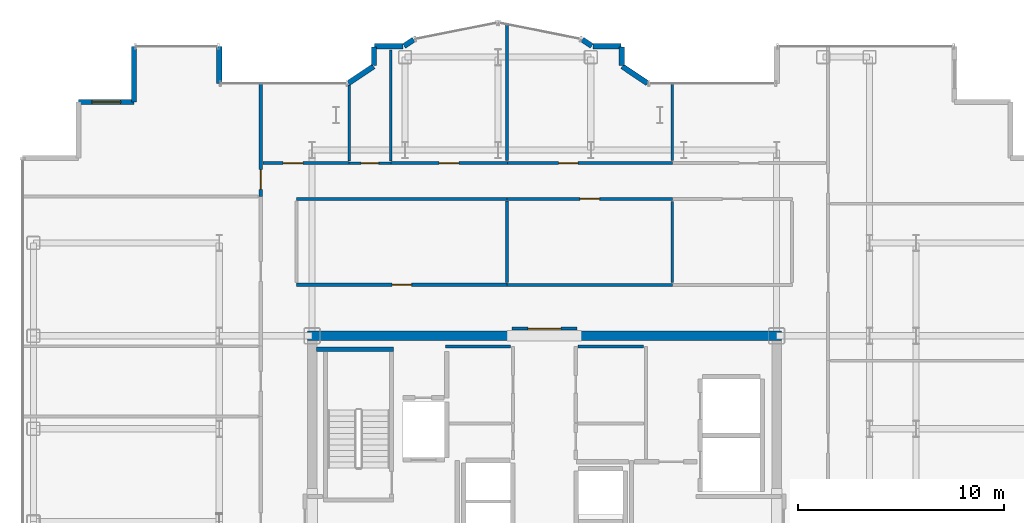
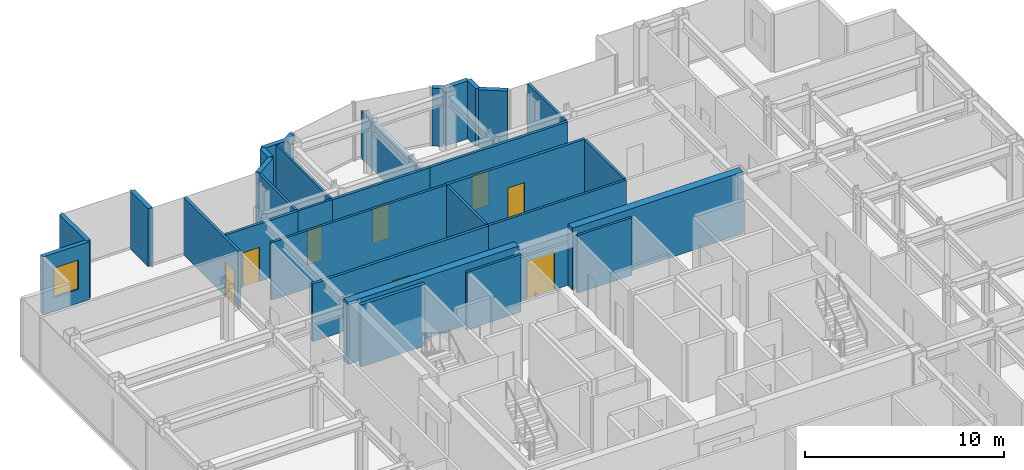
# One storey, part 18 of 20: 32 walls, 8 doors, 1 window, 9 openings.
"""IFC4 building model written with IfcOpenShell, lengths in metres."""

from ifc_helpers import new_model, si_unit, direction, frame, frame_2d, origin, place, context, subcontext, project, spatial, rectangle, extrude, source, transform, mapped, material, layer, layer_set, type_object, element, fill, save


model = new_model("IFC4")

# Units and contexts
model_context = context("Model", 3, precision=1e-05, world=origin(), true_north=direction((0.0, 1.0)))
body_context = subcontext(model_context, "Body", "Model", "MODEL_VIEW")
ifc_project = project(units=[si_unit("LENGTHUNIT", "METRE"), si_unit("AREAUNIT", "SQUARE_METRE"), si_unit("VOLUMEUNIT", "CUBIC_METRE"), si_unit("PLANEANGLEUNIT", "RADIAN"), si_unit("MASSUNIT", "GRAM", prefix="KILO")], contexts=[model_context])

# Site, building, storey
site_placement = place(None, origin())
site = spatial("IfcSite", under=ifc_project, at=site_placement, CompositionType="ELEMENT")
building_placement = place(site_placement, origin())
building = spatial("IfcBuilding", under=site, at=building_placement, Name="Nefas-Gora Pilgrimage Tower", CompositionType="ELEMENT")
storey_placement = place(building_placement, frame((0.0, 0.0, 237.0)))
storey = spatial("IfcBuildingStorey", under=building, at=storey_placement, Name="L59", CompositionType="ELEMENT", Elevation=237.0)

# Walls
ifc_material_1 = material(Name="Concrete C50/60", Category="concrete")
ifc_layer_1 = layer(ifc_material_1, 0.449951171875)
ifc_layer_set_1 = layer_set([ifc_layer_1], Name="Concrete C50/60")
wall_type_1 = type_object("IfcWallType", Name="SW-CORE-450", PredefinedType="SHEAR", material=ifc_layer_set_1)
shared_shape_1 = source(origin(), body_context, "Body", "SweptSolid", [
    extrude(rectangle(XDim=9.925048828125, YDim=0.449951171875, at=frame_2d((4.96240234375, 0.0))), origin(), (0.0, 0.0, 1.0), 3.800048828125),
])
for number, where, z_axis, x_axis, name in (
    (1, (-11.47509765625, 9.0, 0.0), (0.0, 0.0, 1.0), (1.0, 0.0, 0.0), "L59 Core Shear Wall N-West"),
    (2, (1.550048828125, 9.0, 0.0), (0.0, 0.0, 1.0), (1.0, 0.0, 0.0), "L59 Core Shear Wall N-East"),
):
    element("IfcWall", number, at=place(storey_placement, frame(where, z_axis=z_axis, x_axis=x_axis)), inside=storey, type_object=wall_type_1, Name=name, PredefinedType="SHEAR", context=body_context, shape_type="MappedRepresentation", body=[
        mapped(shared_shape_1, transform((0.0, 0.0, 0.0), x_axis=(1.0, 0.0, 0.0), y_axis=(0.0, 1.0, 0.0), z_axis=(0.0, 0.0, 1.0), scale=1.0)),
    ])
ifc_material_2 = material(Name="Precast concrete C40/50", Category="concrete")
ifc_layer_2 = layer(ifc_material_2, 0.260009765625)
ifc_layer_set_2 = layer_set([ifc_layer_2], Name="Precast concrete C40/50")
wall_type_2 = type_object("IfcWallType", Name="EW-PORTAL-260", PredefinedType="SOLIDWALL", material=ifc_layer_set_2)
shared_shape_2 = source(origin(), body_context, "Body", "SweptSolid", [
    extrude(rectangle(XDim=1.800048828125, YDim=0.260009765625, at=frame_2d((0.89990234375, 0.0))), origin(), (0.0, 0.0, 1.0), 3.550048828125),
])
wall_1_placement = place(storey_placement, frame((-15.75, 21.219970703125, 0.0), z_axis=(0.0, 0.0, 1.0), x_axis=(0.0, 1.0, 0.0)))
element("IfcWall", 3, at=wall_1_placement, inside=storey, type_object=wall_type_2, Name="L59 Lobe Shoulder Precast Spandrel Pier 19", PredefinedType="SOLIDWALL", context=body_context, shape_type="MappedRepresentation", body=[
    mapped(shared_shape_2, transform((0.0, 0.0, 0.0), x_axis=(1.0, 0.0, 0.0), y_axis=(0.0, 1.0, 0.0), z_axis=(0.0, 0.0, 1.0), scale=1.0)),
])
ifc_material_3 = material(Name="Precast concrete C45/55", Category="concrete")
ifc_layer_3 = layer(ifc_material_3, 0.239990234375)
ifc_layer_set_3 = layer_set([ifc_layer_3], Name="Precast concrete C45/55")
wall_type_3 = type_object("IfcWallType", Name="EW-SERR-240", PredefinedType="SHEAR", material=ifc_layer_set_3)
shared_shape_3 = source(origin(), body_context, "Body", "SweptSolid", [
    extrude(rectangle(XDim=2.699951171875, YDim=0.239990234375, at=frame_2d((1.35009765625, 0.0))), origin(), (0.0, 0.0, 1.0), 3.550048828125),
])
wall_2_placement = place(storey_placement, frame((-19.8701171875, 23.02001953125, 0.0), z_axis=(0.0, 0.0, 1.0), x_axis=(0.0, -1.0, 0.0)))
element("IfcWall", 4, at=wall_2_placement, inside=storey, type_object=wall_type_3, Name="L59 Serrated Corner Shear Pier Wall 20", PredefinedType="SHEAR", context=body_context, shape_type="MappedRepresentation", body=[
    mapped(shared_shape_3, transform((0.0, 0.0, 0.0), x_axis=(1.0, 0.0, 0.0), y_axis=(0.0, 1.0, 0.0), z_axis=(0.0, 0.0, 1.0), scale=1.0)),
])

# Wall, opening, window
wall_3_placement = place(storey_placement, frame((-19.8701171875, 20.320068359375, 0.0), z_axis=(0.0, 0.0, 1.0), x_axis=(-1.0, 0.0, 0.0)))
wall_3 = element("IfcWall", 5, at=wall_3_placement, inside=storey, type_object=wall_type_3, Name="L59 Serrated Corner Shear Pier Wall 21", PredefinedType="SHEAR", context=body_context, shape_type="MappedRepresentation", body=[
    mapped(shared_shape_3, transform((0.0, 0.0, 0.0), x_axis=(1.0, 0.0, 0.0), y_axis=(0.0, 1.0, 0.0), z_axis=(0.0, 0.0, 1.0), scale=1.0)),
])
opening_1_placement = place(wall_3_placement, frame((0.64990234375, 0.0, 0.85009765625)))
opening_1 = element("IfcOpeningElement", 6, at=opening_1_placement, cuts=wall_3, Name="Opening W-V2", PredefinedType="OPENING", context=body_context, shape_type="SweptSolid", body=[
    extrude(rectangle(XDim=1.39990234375, YDim=1.800048828125, at=frame_2d((0.699951171875, 0.89990234375))), frame((0.0, 0.1298828125, 0.0), z_axis=(0.0, -1.0, 0.0), x_axis=(1.0, 0.0, 0.0)), (0.0, 0.0, 1.0), 0.260009765625),
])
ifc_material_4 = material(Name="Dark ceramic-fritted operable aluminium-glass window", Category="aluminium")
window_type = type_object("IfcWindowType", Name="WIN-VENT-1400x1800", PartitioningType="SINGLE_PANEL", PredefinedType="WINDOW", material=ifc_material_4)
shared_shape_4 = source(origin(), body_context, "Body", "SweptSolid", [
    extrude(rectangle(XDim=1.39990234375, YDim=1.800048828125, at=frame_2d((0.699951171875, 0.89990234375))), frame((0.0, 0.030029296875, 0.0), z_axis=(0.0, -1.0, 0.0), x_axis=(1.0, 0.0, 0.0)), (0.0, 0.0, 1.0), 0.06005859375),
])
window_placement = place(opening_1_placement, origin())
window = element("IfcWindow", 7, at=window_placement, inside=storey, type_object=window_type, Name="L59 Operable Parallel-Outswing Window 21", OverallHeight=1.800048828125, OverallWidth=1.39990234375, PartitioningType="SINGLE_PANEL", PredefinedType="WINDOW", context=body_context, shape_type="MappedRepresentation", body=[
    mapped(shared_shape_4, transform((0.0, 0.0, 0.0), x_axis=(1.0, 0.0, 0.0), y_axis=(0.0, 1.0, 0.0), z_axis=(0.0, 0.0, 1.0), scale=1.0)),
])
fill(opening_1, window)

# Walls
shared_shape_5 = source(origin(), body_context, "Body", "SweptSolid", [
    extrude(rectangle(XDim=1.468994140625, YDim=0.260009765625, at=frame_2d((0.734375, 0.0))), origin(), (0.0, 0.0, 1.0), 3.550048828125),
])
for number, where, z_axis, x_axis, name in (
    (8, (4.99462890625, 21.235595703125, 0.0), (0.0, 0.0, 1.0), (-0.831461760506, 0.555581983884, 0.0), "L59 Lobe Shoulder Precast Spandrel Pier 11"),
    (9, (-8.273193359375, 22.0517578125, 0.0), (0.0, 0.0, 1.0), (-0.831461760506, -0.555581983884, 0.0), "L59 Lobe Shoulder Precast Spandrel Pier 18"),
):
    element("IfcWall", number, at=place(storey_placement, frame(where, z_axis=z_axis, x_axis=x_axis)), inside=storey, type_object=wall_type_2, Name=name, PredefinedType="SOLIDWALL", context=body_context, shape_type="MappedRepresentation", body=[
        mapped(shared_shape_5, transform((0.0, 0.0, 0.0), x_axis=(1.0, 0.0, 0.0), y_axis=(0.0, 1.0, 0.0), z_axis=(0.0, 0.0, 1.0), scale=1.0)),
    ])
shared_shape_6 = source(origin(), body_context, "Body", "SweptSolid", [
    extrude(rectangle(XDim=0.896728515625, YDim=0.260009765625, at=frame_2d((0.4482421875, 0.0))), origin(), (0.0, 0.0, 1.0), 3.550048828125),
])
for number, where, z_axis, x_axis, name in (
    (10, (3.75, 22.09521484375, 0.0), (0.0, 0.0, 1.0), (0.0, 1.0, 0.0), "L59 Lobe Shoulder Precast Spandrel Pier 12"),
    (11, (-8.25, 22.991943359375, 0.0), (0.0, 0.0, 1.0), (0.0, -1.0, 0.0), "L59 Lobe Shoulder Precast Spandrel Pier 17"),
):
    element("IfcWall", number, at=place(storey_placement, frame(where, z_axis=z_axis, x_axis=x_axis)), inside=storey, type_object=wall_type_2, Name=name, PredefinedType="SOLIDWALL", context=body_context, shape_type="MappedRepresentation", body=[
        mapped(shared_shape_6, transform((0.0, 0.0, 0.0), x_axis=(1.0, 0.0, 0.0), y_axis=(0.0, 1.0, 0.0), z_axis=(0.0, 0.0, 1.0), scale=1.0)),
    ])
shared_shape_7 = source(origin(), body_context, "Body", "SweptSolid", [
    extrude(rectangle(XDim=1.369873046875, YDim=0.260009765625, at=frame_2d((0.68505859375, 0.0))), origin(), (0.0, 0.0, 1.0), 3.550048828125),
])
for number, where, z_axis, x_axis, name in (
    (12, (3.721923828125, 23.02001953125, 0.0), (0.0, 0.0, 1.0), (-1.0, 0.0, 0.0), "L59 Lobe Shoulder Precast Spandrel Pier 13"),
    (13, (-6.85205078125, 23.02001953125, 0.0), (0.0, 0.0, 1.0), (-1.0, 0.0, 0.0), "L59 Lobe Shoulder Precast Spandrel Pier 16"),
):
    element("IfcWall", number, at=place(storey_placement, frame(where, z_axis=z_axis, x_axis=x_axis)), inside=storey, type_object=wall_type_2, Name=name, PredefinedType="SOLIDWALL", context=body_context, shape_type="MappedRepresentation", body=[
        mapped(shared_shape_7, transform((0.0, 0.0, 0.0), x_axis=(1.0, 0.0, 0.0), y_axis=(0.0, 1.0, 0.0), z_axis=(0.0, 0.0, 1.0), scale=1.0)),
    ])
shared_shape_8 = source(origin(), body_context, "Body", "SweptSolid", [
    extrude(rectangle(XDim=0.5654296875, YDim=0.260009765625, at=frame_2d((0.28271484375, 0.0))), origin(), (0.0, 0.0, 1.0), 3.550048828125),
])
for number, where, z_axis, x_axis, name in (
    (14, (2.30078125, 23.03564453125, 0.0), (0.0, 0.0, 1.0), (-0.831651492666, 0.555297933317, 0.0), "L59 Lobe Shoulder Precast Spandrel Pier 14"),
    (15, (-6.33056640625, 23.349609375, 0.0), (0.0, 0.0, 1.0), (-0.831651492666, -0.555297933317, 0.0), "L59 Lobe Shoulder Precast Spandrel Pier 15"),
):
    element("IfcWall", number, at=place(storey_placement, frame(where, z_axis=z_axis, x_axis=x_axis)), inside=storey, type_object=wall_type_2, Name=name, PredefinedType="SOLIDWALL", context=body_context, shape_type="MappedRepresentation", body=[
        mapped(shared_shape_8, transform((0.0, 0.0, 0.0), x_axis=(1.0, 0.0, 0.0), y_axis=(0.0, 1.0, 0.0), z_axis=(0.0, 0.0, 1.0), scale=1.0)),
    ])
ifc_material_5 = material(Name="Concrete C45/55", Category="concrete")
ifc_layer_4 = layer(ifc_material_5, 0.199951171875)
ifc_layer_set_4 = layer_set([ifc_layer_4], Name="Concrete C45/55")
wall_type_4 = type_object("IfcWallType", Name="IW-STAIR-200", PredefinedType="SOLIDWALL", material=ifc_layer_set_4)
shared_shape_9 = source(origin(), body_context, "Body", "SweptSolid", [
    extrude(rectangle(XDim=3.72998046875, YDim=0.199951171875, at=frame_2d((1.864990234375, 0.0))), origin(), (0.0, 0.0, 1.0), 3.800048828125),
])
wall_4_placement = place(storey_placement, frame((-7.300048828125, 8.35009765625, 0.0), z_axis=(0.0, 0.0, 1.0), x_axis=(-1.0, 0.0, 0.0)))
element("IfcWall", 16, at=wall_4_placement, inside=storey, type_object=wall_type_4, Name="L59 Stairwell Shear Wall ST-01-far", PredefinedType="SOLIDWALL", context=body_context, shape_type="MappedRepresentation", body=[
    mapped(shared_shape_9, transform((0.0, 0.0, 0.0), x_axis=(1.0, 0.0, 0.0), y_axis=(0.0, 1.0, 0.0), z_axis=(0.0, 0.0, 1.0), scale=1.0)),
])

# Wall, opening, door
ifc_material_6 = material(Name="Moisture-resistant fire-rated gypsum partition")
ifc_layer_5 = layer(ifc_material_6, 0.1201171875)
ifc_layer_set_5 = layer_set([ifc_layer_5], Name="Moisture-resistant fire-rated gypsum partition")
wall_type_5 = type_object("IfcWallType", Name="IW-WET-120", PredefinedType="PLUMBINGWALL", material=ifc_layer_set_5)
shared_shape_10 = source(origin(), body_context, "Body", "SweptSolid", [
    extrude(rectangle(XDim=2.02001953125, YDim=0.1201171875, at=frame_2d((1.010009765625, 0.0))), origin(), (0.0, 0.0, 1.0), 3.534912109375),
])
wall_5_placement = place(storey_placement, frame((-9.4599609375, 17.3701171875, 0.0), z_axis=(0.0, 0.0, 1.0), x_axis=(1.0, 0.0, 0.0)))
wall_5 = element("IfcWall", 17, at=wall_5_placement, inside=storey, type_object=wall_type_5, Name="L59 Accessible Unisex WC Partition Wall 29", PredefinedType="PLUMBINGWALL", context=body_context, shape_type="MappedRepresentation", body=[
    mapped(shared_shape_10, transform((0.0, 0.0, 0.0), x_axis=(1.0, 0.0, 0.0), y_axis=(0.0, 1.0, 0.0), z_axis=(0.0, 0.0, 1.0), scale=1.0)),
])
opening_2_placement = place(wall_5_placement, frame((0.5849609375, 0.0, 0.0)))
opening_2 = element("IfcOpeningElement", 18, at=opening_2_placement, cuts=wall_5, Name="Opening ID-BT1", PredefinedType="OPENING", context=body_context, shape_type="SweptSolid", body=[
    extrude(rectangle(XDim=0.85009765625, YDim=2.10009765625, at=frame_2d((0.425048828125, 1.050048828125))), frame((0.0, 0.070068359375, 0.0), z_axis=(0.0, -1.0, 0.0), x_axis=(1.0, 0.0, 0.0)), (0.0, 0.0, 1.0), 0.14013671875),
])
ifc_material_7 = material(Name="Moisture-resistant fire-rated timber door", Category="wood")
door_type_1 = type_object("IfcDoorType", Name="DR-INT-BATH-850", OperationType="NOTDEFINED", PredefinedType="DOOR", material=ifc_material_7)
shared_shape_11 = source(origin(), body_context, "Body", "SweptSolid", [
    extrude(rectangle(XDim=0.85009765625, YDim=2.10009765625, at=frame_2d((0.425048828125, 1.050048828125))), frame((0.0, 0.02490234375, 0.0), z_axis=(0.0, -1.0, 0.0), x_axis=(1.0, 0.0, 0.0)), (0.0, 0.0, 1.0), 0.050048828125),
])
door_1_placement = place(opening_2_placement, origin())
door_1 = element("IfcDoor", 19, at=door_1_placement, inside=storey, type_object=door_type_1, Name="L59 Accessible Unisex WC Door 12", OperationType="SINGLE_SWING_RIGHT", OverallHeight=2.10009765625, OverallWidth=0.85009765625, PredefinedType="DOOR", context=body_context, shape_type="MappedRepresentation", body=[
    mapped(shared_shape_11, transform((0.0, 0.0, 0.0), x_axis=(1.0, 0.0, 0.0), y_axis=(0.0, 1.0, 0.0), z_axis=(0.0, 0.0, 1.0), scale=1.0)),
])
fill(opening_2, door_1)

# Walls
ifc_material_8 = material(Name="Gypsum twin-stud partition")
ifc_layer_6 = layer(ifc_material_8, 0.139892578125)
ifc_layer_set_6 = layer_set([ifc_layer_6], Name="Gypsum twin-stud partition")
wall_type_6 = type_object("IfcWallType", Name="IW-UNIT-140", PredefinedType="PARTITIONING", material=ifc_layer_set_6)
shared_shape_12 = source(origin(), body_context, "Body", "SweptSolid", [
    extrude(rectangle(XDim=3.150146484375, YDim=0.139892578125, at=frame_2d((1.5751953125, 0.0))), origin(), (0.0, 0.0, 1.0), 3.534912109375),
])
for number, where, z_axis, x_axis, name in (
    (20, (-4.7900390625, 8.47998046875, 0.0), (0.0, 0.0, 1.0), (1.0, 0.0, 0.0), "L59 Archival Supply Store Partition Wall 21"),
    (21, (1.639892578125, 8.47998046875, 0.0), (0.0, 0.0, 1.0), (1.0, 0.0, 0.0), "L59 Amenity Supply Store Partition Wall 25"),
):
    element("IfcWall", number, at=place(storey_placement, frame(where, z_axis=z_axis, x_axis=x_axis)), inside=storey, type_object=wall_type_6, Name=name, PredefinedType="PARTITIONING", context=body_context, shape_type="MappedRepresentation", body=[
        mapped(shared_shape_12, transform((0.0, 0.0, 0.0), x_axis=(1.0, 0.0, 0.0), y_axis=(0.0, 1.0, 0.0), z_axis=(0.0, 0.0, 1.0), scale=1.0)),
    ])
shared_shape_13 = source(origin(), body_context, "Body", "SweptSolid", [
    extrude(rectangle(XDim=5.380126953125, YDim=0.1201171875, at=frame_2d((2.68994140625, 0.0))), origin(), (0.0, 0.0, 1.0), 3.534912109375),
])
wall_6_placement = place(storey_placement, frame((-7.449951171875, 17.469970703125, 0.0), z_axis=(0.0, 0.0, 1.0), x_axis=(0.0, 1.0, 0.0)))
element("IfcWall", 22, at=wall_6_placement, inside=storey, type_object=wall_type_5, Name="L59 Accessible Unisex WC Partition Wall 30", PredefinedType="PLUMBINGWALL", context=body_context, shape_type="MappedRepresentation", body=[
    mapped(shared_shape_13, transform((0.0, 0.0, 0.0), x_axis=(1.0, 0.0, 0.0), y_axis=(0.0, 1.0, 0.0), z_axis=(0.0, 0.0, 1.0), scale=1.0)),
])
shared_shape_14 = source(origin(), body_context, "Body", "SweptSolid", [
    extrude(rectangle(XDim=3.686767578125, YDim=0.1201171875, at=frame_2d((1.84326171875, 0.0))), origin(), (0.0, 0.0, 1.0), 3.534912109375),
])
wall_7_placement = place(storey_placement, frame((-9.449951171875, 17.469970703125, 0.0), z_axis=(0.0, 0.0, 1.0), x_axis=(0.0, 1.0, 0.0)))
element("IfcWall", 23, at=wall_7_placement, inside=storey, type_object=wall_type_5, Name="L59 Accessible Unisex WC Partition Wall 31", PredefinedType="PLUMBINGWALL", context=body_context, shape_type="MappedRepresentation", body=[
    mapped(shared_shape_14, transform((0.0, 0.0, 0.0), x_axis=(1.0, 0.0, 0.0), y_axis=(0.0, 1.0, 0.0), z_axis=(0.0, 0.0, 1.0), scale=1.0)),
])
shared_shape_15 = source(origin(), body_context, "Body", "SweptSolid", [
    extrude(rectangle(XDim=3.929931640625, YDim=0.139892578125, at=frame_2d((1.96484375, 0.0))), origin(), (0.0, 0.0, 1.0), 3.534912109375),
])
for number, where, z_axis, x_axis, name in (
    (24, (-1.804931640625, 11.590087890625, 0.0), (0.0, 0.0, 1.0), (0.0, 1.0, 0.0), "L59 Pilgrim Contemplative Lounge Partition Wall 59"),
    (25, (6.195068359375, 11.580078125, 0.0), (0.0, 0.0, 1.0), (0.0, 1.0, 0.0), "L59 Pilgrim Contemplative Lounge Partition Wall 67"),
):
    element("IfcWall", number, at=place(storey_placement, frame(where, z_axis=z_axis, x_axis=x_axis)), inside=storey, type_object=wall_type_6, Name=name, PredefinedType="PARTITIONING", context=body_context, shape_type="MappedRepresentation", body=[
        mapped(shared_shape_15, transform((0.0, 0.0, 0.0), x_axis=(1.0, 0.0, 0.0), y_axis=(0.0, 1.0, 0.0), z_axis=(0.0, 0.0, 1.0), scale=1.0)),
    ])

# Wall, opening, door
ifc_material_9 = material(Name="Gypsum acoustic stud partition")
ifc_layer_7 = layer(ifc_material_9, 0.159912109375)
ifc_layer_set_7 = layer_set([ifc_layer_7], Name="Gypsum acoustic stud partition")
wall_type_7 = type_object("IfcWallType", Name="IW-CORR-160", PredefinedType="PARTITIONING", material=ifc_layer_set_7)
shared_shape_16 = source(origin(), body_context, "Body", "SweptSolid", [
    extrude(rectangle(XDim=4.16015625, YDim=0.159912109375, at=frame_2d((2.080078125, 0.0))), origin(), (0.0, 0.0, 1.0), 3.534912109375),
])
wall_8_placement = place(storey_placement, frame((-13.6201171875, 17.3701171875, 0.0), z_axis=(0.0, 0.0, 1.0), x_axis=(1.0, 0.0, 0.0)))
wall_8 = element("IfcWall", 26, at=wall_8_placement, inside=storey, type_object=wall_type_7, Name="L59 Pilgrim Contemplative Lounge Partition Wall 62", PredefinedType="PARTITIONING", context=body_context, shape_type="MappedRepresentation", body=[
    mapped(shared_shape_16, transform((0.0, 0.0, 0.0), x_axis=(1.0, 0.0, 0.0), y_axis=(0.0, 1.0, 0.0), z_axis=(0.0, 0.0, 1.0), scale=1.0)),
])
opening_3_placement = place(wall_8_placement, frame((0.968994140625, 0.0, 0.0)))
opening_3 = element("IfcOpeningElement", 27, at=opening_3_placement, cuts=wall_8, Name="Opening ID-GR1", PredefinedType="OPENING", context=body_context, shape_type="SweptSolid", body=[
    extrude(rectangle(XDim=0.949951171875, YDim=2.10009765625, at=frame_2d((0.47509765625, 1.050048828125))), frame((0.0, 0.08984375, 0.0), z_axis=(0.0, -1.0, 0.0), x_axis=(1.0, 0.0, 0.0)), (0.0, 0.0, 1.0), 0.179931640625),
])
ifc_material_10 = material(Name="Solid core oak fire-rated guest entrance door")
door_type_2 = type_object("IfcDoorType", Name="DR-INT-GUEST-950", OperationType="NOTDEFINED", PredefinedType="DOOR", material=ifc_material_10)
shared_shape_17 = source(origin(), body_context, "Body", "SweptSolid", [
    extrude(rectangle(XDim=0.949951171875, YDim=2.10009765625, at=frame_2d((0.47509765625, 1.050048828125))), frame((0.0, 0.02490234375, 0.0), z_axis=(0.0, -1.0, 0.0), x_axis=(1.0, 0.0, 0.0)), (0.0, 0.0, 1.0), 0.050048828125),
])
door_2_placement = place(opening_3_placement, origin())
door_2 = element("IfcDoor", 28, at=door_2_placement, inside=storey, type_object=door_type_2, Name="L59 Pilgrim Contemplative Lounge Door 28", OperationType="SINGLE_SWING_RIGHT", OverallHeight=2.10009765625, OverallWidth=0.949951171875, PredefinedType="DOOR", context=body_context, shape_type="MappedRepresentation", body=[
    mapped(shared_shape_17, transform((0.0, 0.0, 0.0), x_axis=(1.0, 0.0, 0.0), y_axis=(0.0, 1.0, 0.0), z_axis=(0.0, 0.0, 1.0), scale=1.0)),
])
fill(opening_3, door_2)

# Wall
shared_shape_18 = source(origin(), body_context, "Body", "SweptSolid", [
    extrude(rectangle(XDim=3.75, YDim=0.139892578125, at=frame_2d((1.875, 0.0))), origin(), (0.0, 0.0, 1.0), 3.534912109375),
])
wall_9_placement = place(storey_placement, frame((6.195068359375, 17.489990234375, 0.0), z_axis=(0.0, 0.0, 1.0), x_axis=(0.0, 1.0, 0.0)))
element("IfcWall", 29, at=wall_9_placement, inside=storey, type_object=wall_type_6, Name="L59 Pilgrim Contemplative Lounge Partition Wall 64", PredefinedType="PARTITIONING", context=body_context, shape_type="MappedRepresentation", body=[
    mapped(shared_shape_18, transform((0.0, 0.0, 0.0), x_axis=(1.0, 0.0, 0.0), y_axis=(0.0, 1.0, 0.0), z_axis=(0.0, 0.0, 1.0), scale=1.0)),
])

# Wall, opening, door
shared_shape_19 = source(origin(), body_context, "Body", "SweptSolid", [
    extrude(rectangle(XDim=3.16015625, YDim=0.159912109375, at=frame_2d((1.580078125, 0.0))), origin(), (0.0, 0.0, 1.0), 2.625),
])
wall_10_placement = place(storey_placement, frame((-1.580078125, 9.35009765625, 0.0), z_axis=(0.0, 0.0, 1.0), x_axis=(1.0, 0.0, 0.0)))
wall_10 = element("IfcWall", 30, at=wall_10_placement, inside=storey, type_object=wall_type_7, Name="L59 Central Lift Lobby North Portal Wall 15", PredefinedType="PARTITIONING", context=body_context, shape_type="MappedRepresentation", body=[
    mapped(shared_shape_19, transform((0.0, 0.0, 0.0), x_axis=(1.0, 0.0, 0.0), y_axis=(0.0, 1.0, 0.0), z_axis=(0.0, 0.0, 1.0), scale=1.0)),
])
opening_4_placement = place(wall_10_placement, frame((0.780029296875, 0.0, 0.0)))
opening_4 = element("IfcOpeningElement", 31, at=opening_4_placement, cuts=wall_10, Name="Opening ID-HL1", PredefinedType="OPENING", context=body_context, shape_type="SweptSolid", body=[
    extrude(rectangle(XDim=1.60009765625, YDim=2.300048828125, at=frame_2d((0.800048828125, 1.14990234375))), frame((0.0, 0.08984375, 0.0), z_axis=(0.0, -1.0, 0.0), x_axis=(1.0, 0.0, 0.0)), (0.0, 0.0, 1.0), 0.179931640625),
])
ifc_material_11 = material(Name="Double acoustic timber assembly hall door", Category="wood")
door_type_3 = type_object("IfcDoorType", Name="DR-INT-HALL-1600", OperationType="DOUBLE_DOOR_SINGLE_SWING", PredefinedType="DOOR", material=ifc_material_11)
shared_shape_20 = source(origin(), body_context, "Body", "SweptSolid", [
    extrude(rectangle(XDim=1.60009765625, YDim=2.300048828125, at=frame_2d((0.800048828125, 1.14990234375))), frame((0.0, 0.02490234375, 0.0), z_axis=(0.0, -1.0, 0.0), x_axis=(1.0, 0.0, 0.0)), (0.0, 0.0, 1.0), 0.050048828125),
])
door_3_placement = place(opening_4_placement, origin())
door_3 = element("IfcDoor", 32, at=door_3_placement, inside=storey, type_object=door_type_3, Name="L59 Central Lift Lobby North Portal Door 5", OperationType="DOUBLE_DOOR_SINGLE_SWING", OverallHeight=2.300048828125, OverallWidth=1.60009765625, PredefinedType="DOOR", context=body_context, shape_type="MappedRepresentation", body=[
    mapped(shared_shape_20, transform((0.0, 0.0, 0.0), x_axis=(1.0, 0.0, 0.0), y_axis=(0.0, 1.0, 0.0), z_axis=(0.0, 0.0, 1.0), scale=1.0)),
])
fill(opening_4, door_3)

shared_shape_21 = source(origin(), body_context, "Body", "SweptSolid", [
    extrude(rectangle(XDim=10.215087890625, YDim=0.159912109375, at=frame_2d((5.107421875, 0.0))), origin(), (0.0, 0.0, 1.0), 3.534912109375),
])
wall_11_placement = place(storey_placement, frame((-12.010009765625, 11.469970703125, 0.0), z_axis=(0.0, 0.0, 1.0), x_axis=(1.0, 0.0, 0.0)))
wall_11 = element("IfcWall", 33, at=wall_11_placement, inside=storey, type_object=wall_type_7, Name="L59 Pilgrim Contemplative Lounge Partition Wall 56", PredefinedType="PARTITIONING", context=body_context, shape_type="MappedRepresentation", body=[
    mapped(shared_shape_21, transform((0.0, 0.0, 0.0), x_axis=(1.0, 0.0, 0.0), y_axis=(0.0, 1.0, 0.0), z_axis=(0.0, 0.0, 1.0), scale=1.0)),
])
opening_5_placement = place(wall_11_placement, frame((4.632568359375, 0.0, 0.0)))
opening_5 = element("IfcOpeningElement", 34, at=opening_5_placement, cuts=wall_11, Name="Opening ID-GR1", PredefinedType="OPENING", context=body_context, shape_type="SweptSolid", body=[
    extrude(rectangle(XDim=0.949951171875, YDim=2.10009765625, at=frame_2d((0.47509765625, 1.050048828125))), frame((0.0, 0.08984375, 0.0), z_axis=(0.0, -1.0, 0.0), x_axis=(1.0, 0.0, 0.0)), (0.0, 0.0, 1.0), 0.179931640625),
])
door_4_placement = place(opening_5_placement, origin())
door_4 = element("IfcDoor", 35, at=door_4_placement, inside=storey, type_object=door_type_2, Name="L59 Pilgrim Contemplative Lounge Door 26", OperationType="SINGLE_SWING_RIGHT", OverallHeight=2.10009765625, OverallWidth=0.949951171875, PredefinedType="DOOR", context=body_context, shape_type="MappedRepresentation", body=[
    mapped(shared_shape_17, transform((0.0, 0.0, 0.0), x_axis=(1.0, 0.0, 0.0), y_axis=(0.0, 1.0, 0.0), z_axis=(0.0, 0.0, 1.0), scale=1.0)),
])
fill(opening_5, door_4)

# Wall
shared_shape_22 = source(origin(), body_context, "Body", "SweptSolid", [
    extrude(rectangle(XDim=10.215087890625, YDim=0.139892578125, at=frame_2d((5.107421875, 0.0))), origin(), (0.0, 0.0, 1.0), 3.534912109375),
])
wall_12_placement = place(storey_placement, frame((-12.010009765625, 15.6298828125, 0.0), z_axis=(0.0, 0.0, 1.0), x_axis=(1.0, 0.0, 0.0)))
element("IfcWall", 36, at=wall_12_placement, inside=storey, type_object=wall_type_6, Name="L59 Pilgrim Contemplative Lounge Partition Wall 57", PredefinedType="PARTITIONING", context=body_context, shape_type="MappedRepresentation", body=[
    mapped(shared_shape_22, transform((0.0, 0.0, 0.0), x_axis=(1.0, 0.0, 0.0), y_axis=(0.0, 1.0, 0.0), z_axis=(0.0, 0.0, 1.0), scale=1.0)),
])

# Wall, opening, door
shared_shape_23 = source(origin(), body_context, "Body", "SweptSolid", [
    extrude(rectangle(XDim=5.64501953125, YDim=0.159912109375, at=frame_2d((2.822509765625, 0.0))), origin(), (0.0, 0.0, 1.0), 3.534912109375),
])
wall_13_placement = place(storey_placement, frame((-7.43994140625, 17.3701171875, 0.0), z_axis=(0.0, 0.0, 1.0), x_axis=(1.0, 0.0, 0.0)))
wall_13 = element("IfcWall", 37, at=wall_13_placement, inside=storey, type_object=wall_type_7, Name="L59 Pilgrim Contemplative Lounge Partition Wall 60", PredefinedType="PARTITIONING", context=body_context, shape_type="MappedRepresentation", body=[
    mapped(shared_shape_23, transform((0.0, 0.0, 0.0), x_axis=(1.0, 0.0, 0.0), y_axis=(0.0, 1.0, 0.0), z_axis=(0.0, 0.0, 1.0), scale=1.0)),
])
opening_6_placement = place(wall_13_placement, frame((2.347412109375, 0.0, 0.0)))
opening_6 = element("IfcOpeningElement", 38, at=opening_6_placement, cuts=wall_13, Name="Opening ID-GR1", PredefinedType="OPENING", context=body_context, shape_type="SweptSolid", body=[
    extrude(rectangle(XDim=0.949951171875, YDim=2.10009765625, at=frame_2d((0.47509765625, 1.050048828125))), frame((0.0, 0.08984375, 0.0), z_axis=(0.0, -1.0, 0.0), x_axis=(1.0, 0.0, 0.0)), (0.0, 0.0, 1.0), 0.179931640625),
])
door_5_placement = place(opening_6_placement, origin())
door_5 = element("IfcDoor", 39, at=door_5_placement, inside=storey, type_object=door_type_2, Name="L59 Pilgrim Contemplative Lounge Door 27", OperationType="SINGLE_SWING_LEFT", OverallHeight=2.10009765625, OverallWidth=0.949951171875, PredefinedType="DOOR", context=body_context, shape_type="MappedRepresentation", body=[
    mapped(shared_shape_17, transform((0.0, 0.0, 0.0), x_axis=(1.0, 0.0, 0.0), y_axis=(0.0, 1.0, 0.0), z_axis=(0.0, 0.0, 1.0), scale=1.0)),
])
fill(opening_6, door_5)

# Wall
shared_shape_24 = source(origin(), body_context, "Body", "SweptSolid", [
    extrude(rectangle(XDim=6.6142578125, YDim=0.139892578125, at=frame_2d((3.30712890625, 0.0))), origin(), (0.0, 0.0, 1.0), 2.925048828125),
])
wall_14_placement = place(storey_placement, frame((-1.804931640625, 17.489990234375, 0.0), z_axis=(0.0, 0.0, 1.0), x_axis=(0.0, 1.0, 0.0)))
element("IfcWall", 40, at=wall_14_placement, inside=storey, type_object=wall_type_6, Name="L59 Pilgrim Contemplative Lounge Partition Wall 61", PredefinedType="PARTITIONING", context=body_context, shape_type="MappedRepresentation", body=[
    mapped(shared_shape_24, transform((0.0, 0.0, 0.0), x_axis=(1.0, 0.0, 0.0), y_axis=(0.0, 1.0, 0.0), z_axis=(0.0, 0.0, 1.0), scale=1.0)),
])

# Wall, opening, door
shared_shape_25 = source(origin(), body_context, "Body", "SweptSolid", [
    extrude(rectangle(XDim=5.50244140625, YDim=0.159912109375, at=frame_2d((2.751220703125, 0.0))), origin(), (0.0, 0.0, 1.0), 3.534912109375),
])
wall_15_placement = place(storey_placement, frame((-13.739990234375, 15.737548828125, 0.0), z_axis=(0.0, 0.0, 1.0), x_axis=(0.0, 1.0, 0.0)))
wall_15 = element("IfcWall", 41, at=wall_15_placement, inside=storey, type_object=wall_type_7, Name="L59 Pilgrim Tea and Beverage Pantry Partition Wall 42", PredefinedType="PARTITIONING", context=body_context, shape_type="MappedRepresentation", body=[
    mapped(shared_shape_25, transform((0.0, 0.0, 0.0), x_axis=(1.0, 0.0, 0.0), y_axis=(0.0, 1.0, 0.0), z_axis=(0.0, 0.0, 1.0), scale=1.0)),
])
opening_7_placement = place(wall_15_placement, frame((0.361328125, 0.0, 0.0)))
opening_7 = element("IfcOpeningElement", 42, at=opening_7_placement, cuts=wall_15, Name="Opening ID-GR1", PredefinedType="OPENING", context=body_context, shape_type="SweptSolid", body=[
    extrude(rectangle(XDim=0.949951171875, YDim=2.10009765625, at=frame_2d((0.47509765625, 1.050048828125))), frame((0.0, 0.08984375, 0.0), z_axis=(0.0, -1.0, 0.0), x_axis=(1.0, 0.0, 0.0)), (0.0, 0.0, 1.0), 0.179931640625),
])
door_6_placement = place(opening_7_placement, origin())
door_6 = element("IfcDoor", 43, at=door_6_placement, inside=storey, type_object=door_type_2, Name="L59 Pilgrim Tea and Beverage Pantry Door 18", OperationType="SINGLE_SWING_RIGHT", OverallHeight=2.10009765625, OverallWidth=0.949951171875, PredefinedType="DOOR", context=body_context, shape_type="MappedRepresentation", body=[
    mapped(shared_shape_17, transform((0.0, 0.0, 0.0), x_axis=(1.0, 0.0, 0.0), y_axis=(0.0, 1.0, 0.0), z_axis=(0.0, 0.0, 1.0), scale=1.0)),
])
fill(opening_7, door_6)

shared_shape_26 = source(origin(), body_context, "Body", "SweptSolid", [
    extrude(rectangle(XDim=8.010009765625, YDim=0.159912109375, at=frame_2d((4.0048828125, 0.0))), origin(), (0.0, 0.0, 1.0), 3.534912109375),
])
wall_16_placement = place(storey_placement, frame((-1.804931640625, 17.3701171875, 0.0), z_axis=(0.0, 0.0, 1.0), x_axis=(1.0, 0.0, 0.0)))
wall_16 = element("IfcWall", 44, at=wall_16_placement, inside=storey, type_object=wall_type_7, Name="L59 Pilgrim Contemplative Lounge Partition Wall 63", PredefinedType="PARTITIONING", context=body_context, shape_type="MappedRepresentation", body=[
    mapped(shared_shape_26, transform((0.0, 0.0, 0.0), x_axis=(1.0, 0.0, 0.0), y_axis=(0.0, 1.0, 0.0), z_axis=(0.0, 0.0, 1.0), scale=1.0)),
])
opening_8_placement = place(wall_16_placement, frame((2.489990234375, 0.0, 0.0)))
opening_8 = element("IfcOpeningElement", 45, at=opening_8_placement, cuts=wall_16, Name="Opening ID-GR1", PredefinedType="OPENING", context=body_context, shape_type="SweptSolid", body=[
    extrude(rectangle(XDim=0.949951171875, YDim=2.10009765625, at=frame_2d((0.47509765625, 1.050048828125))), frame((0.0, 0.08984375, 0.0), z_axis=(0.0, -1.0, 0.0), x_axis=(1.0, 0.0, 0.0)), (0.0, 0.0, 1.0), 0.179931640625),
])
door_7_placement = place(opening_8_placement, origin())
door_7 = element("IfcDoor", 46, at=door_7_placement, inside=storey, type_object=door_type_2, Name="L59 Pilgrim Contemplative Lounge Door 29", OperationType="SINGLE_SWING_LEFT", OverallHeight=2.10009765625, OverallWidth=0.949951171875, PredefinedType="DOOR", context=body_context, shape_type="MappedRepresentation", body=[
    mapped(shared_shape_17, transform((0.0, 0.0, 0.0), x_axis=(1.0, 0.0, 0.0), y_axis=(0.0, 1.0, 0.0), z_axis=(0.0, 0.0, 1.0), scale=1.0)),
])
fill(opening_8, door_7)

wall_17_placement = place(storey_placement, frame((-1.804931640625, 15.6298828125, 0.0), z_axis=(0.0, 0.0, 1.0), x_axis=(1.0, 0.0, 0.0)))
wall_17 = element("IfcWall", 47, at=wall_17_placement, inside=storey, type_object=wall_type_7, Name="L59 Pilgrim Contemplative Lounge Partition Wall 65", PredefinedType="PARTITIONING", context=body_context, shape_type="MappedRepresentation", body=[
    mapped(shared_shape_26, transform((0.0, 0.0, 0.0), x_axis=(1.0, 0.0, 0.0), y_axis=(0.0, 1.0, 0.0), z_axis=(0.0, 0.0, 1.0), scale=1.0)),
])
opening_9_placement = place(wall_17_placement, frame((3.530029296875, 0.0, 0.0)))
opening_9 = element("IfcOpeningElement", 48, at=opening_9_placement, cuts=wall_17, Name="Opening ID-GR1", PredefinedType="OPENING", context=body_context, shape_type="SweptSolid", body=[
    extrude(rectangle(XDim=0.949951171875, YDim=2.10009765625, at=frame_2d((0.47509765625, 1.050048828125))), frame((0.0, 0.08984375, 0.0), z_axis=(0.0, -1.0, 0.0), x_axis=(1.0, 0.0, 0.0)), (0.0, 0.0, 1.0), 0.179931640625),
])
door_8_placement = place(opening_9_placement, origin())
door_8 = element("IfcDoor", 49, at=door_8_placement, inside=storey, type_object=door_type_2, Name="L59 Pilgrim Contemplative Lounge Door 30", OperationType="SINGLE_SWING_RIGHT", OverallHeight=2.10009765625, OverallWidth=0.949951171875, PredefinedType="DOOR", context=body_context, shape_type="MappedRepresentation", body=[
    mapped(shared_shape_17, transform((0.0, 0.0, 0.0), x_axis=(1.0, 0.0, 0.0), y_axis=(0.0, 1.0, 0.0), z_axis=(0.0, 0.0, 1.0), scale=1.0)),
])
fill(opening_9, door_8)

# Wall
shared_shape_27 = source(origin(), body_context, "Body", "SweptSolid", [
    extrude(rectangle(XDim=8.010009765625, YDim=0.139892578125, at=frame_2d((4.0048828125, 0.0))), origin(), (0.0, 0.0, 1.0), 3.534912109375),
])
wall_18_placement = place(storey_placement, frame((-1.804931640625, 11.469970703125, 0.0), z_axis=(0.0, 0.0, 1.0), x_axis=(1.0, 0.0, 0.0)))
element("IfcWall", 50, at=wall_18_placement, inside=storey, type_object=wall_type_6, Name="L59 Pilgrim Contemplative Lounge Partition Wall 66", PredefinedType="PARTITIONING", context=body_context, shape_type="MappedRepresentation", body=[
    mapped(shared_shape_27, transform((0.0, 0.0, 0.0), x_axis=(1.0, 0.0, 0.0), y_axis=(0.0, 1.0, 0.0), z_axis=(0.0, 0.0, 1.0), scale=1.0)),
])

save(model, "model.ifc")
